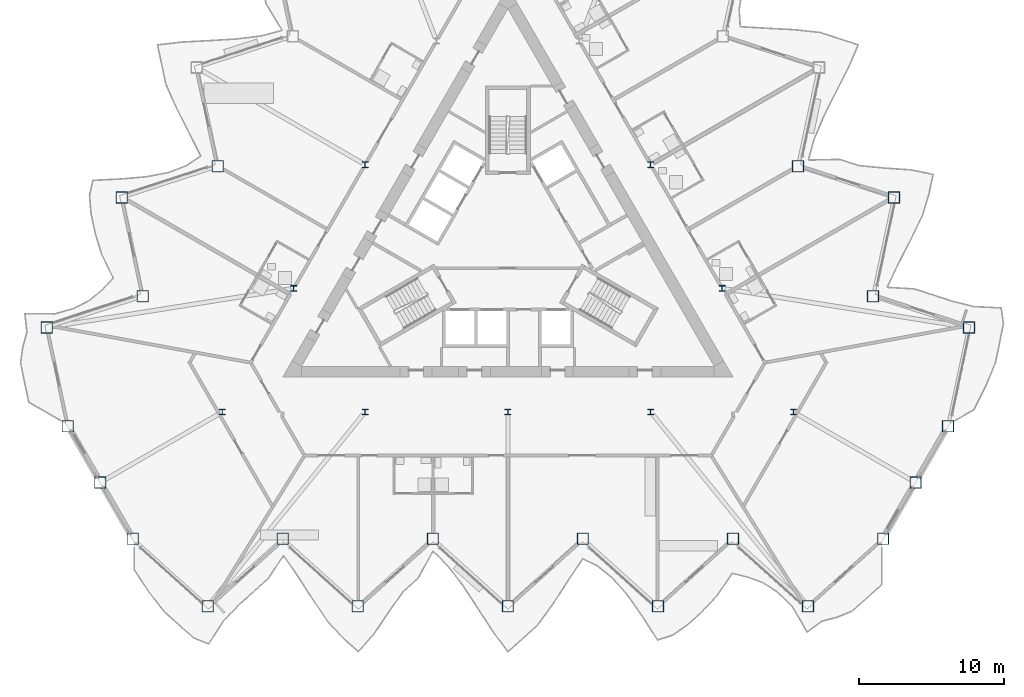
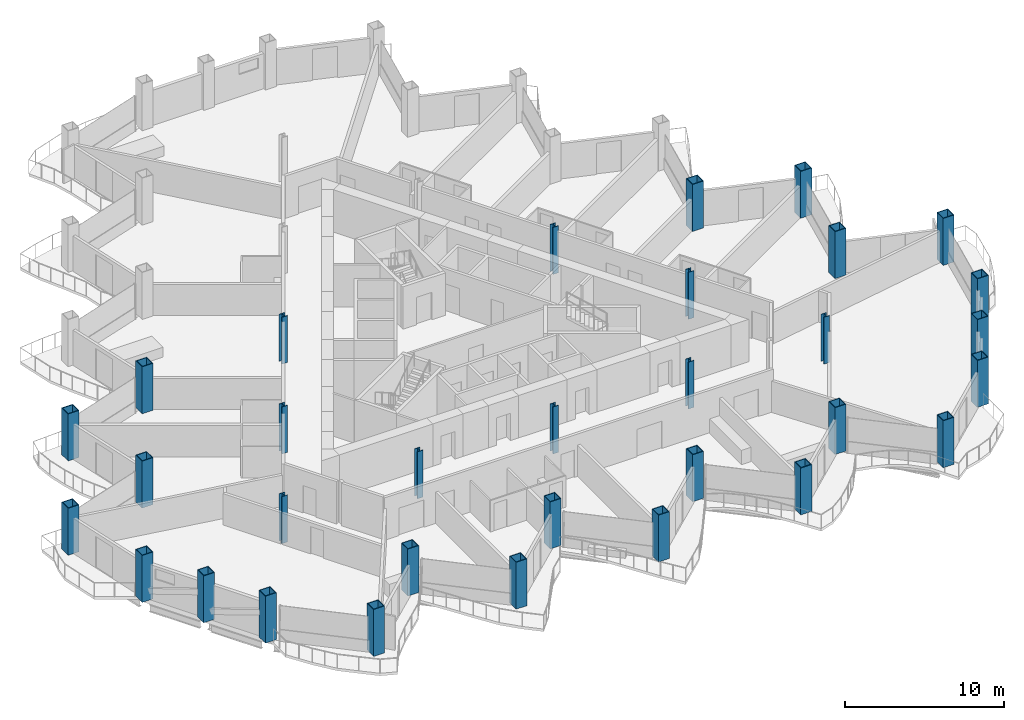
# One storey, part 1 of 24: 32 columns.
"""IFC4 building model written with IfcOpenShell, lengths in metres."""

from ifc_helpers import new_model, si_unit, direction, frame, origin, origin_2d, place, context, subcontext, project, spatial, hollow_rectangle, i_section, extrude, material, material_profile, profile_set, type_object, element, save


model = new_model("IFC4")

# Units and contexts
model_context = context("Model", 3, precision=1e-05, world=origin(), true_north=direction((0.0, 1.0)))
body_context = subcontext(model_context, "Body", "Model", "MODEL_VIEW")
ifc_project = project(units=[si_unit("LENGTHUNIT", "METRE"), si_unit("AREAUNIT", "SQUARE_METRE"), si_unit("VOLUMEUNIT", "CUBIC_METRE"), si_unit("PLANEANGLEUNIT", "RADIAN"), si_unit("MASSUNIT", "GRAM", prefix="KILO")], contexts=[model_context])

# Site, building, storey
site_placement = place(None, origin())
site = spatial("IfcSite", under=ifc_project, at=site_placement, CompositionType="ELEMENT")
building_placement = place(site_placement, origin())
building = spatial("IfcBuilding", under=site, at=building_placement, Name="Cormorant Prow Tower", CompositionType="ELEMENT")
storey_placement = place(building_placement, frame((0.0, 0.0, 201.60009765625)))
storey = spatial("IfcBuildingStorey", under=building, at=storey_placement, Name="L44", CompositionType="ELEMENT", Elevation=201.60009765625)

# Columns
ifc_material_1 = material(Name="Structural steel ASTM A572 Gr 50", Category="steel")
ifc_material_profile_1 = material_profile(ifc_material_1, hollow_rectangle(XDim=0.800048828125, YDim=0.800048828125, WallThickness=0.050048828125, at=origin_2d()), Name="Box 800x800x50")
ifc_profile_set_1 = profile_set([ifc_material_profile_1], Name="Structural steel ASTM A572 Gr 50")
column_type_1 = type_object("IfcColumnType", Name="Perimeter box column 800x800x50", PredefinedType="COLUMN", material=ifc_profile_set_1)
for number, where, z_axis, x_axis, name in (
    (1, (-25.823486328125, -20.0712890625, 0.0), (0.0, 0.0, 1.0), (1.0, 0.0, 0.0), "Perimeter column C4 at S00 L44"),
    (2, (-20.658935546875, -24.7216796875, 0.0), (0.0, 0.0, 1.0), (1.0, 0.0, 0.0), "Perimeter column C4 at S01 L44"),
    (3, (-15.494140625, -20.0712890625, 0.0), (0.0, 0.0, 1.0), (1.0, 0.0, 0.0), "Perimeter column C4 at S02 L44"),
    (4, (-10.329345703125, -24.7216796875, 0.0), (0.0, 0.0, 1.0), (1.0, 0.0, 0.0), "Perimeter column C4 at S03 L44"),
    (5, (-5.164794921875, -20.0712890625, 0.0), (0.0, 0.0, 1.0), (1.0, 0.0, 0.0), "Perimeter column C4 at S04 L44"),
    (6, (0.0, -24.7216796875, 0.0), (0.0, 0.0, 1.0), (1.0, 0.0, 0.0), "Perimeter column C4 at S05 L44"),
    (7, (5.164794921875, -20.0712890625, 0.0), (0.0, 0.0, 1.0), (1.0, 0.0, 0.0), "Perimeter column C4 at S06 L44"),
    (8, (10.329345703125, -24.7216796875, 0.0), (0.0, 0.0, 1.0), (1.0, 0.0, 0.0), "Perimeter column C4 at S07 L44"),
    (9, (15.494140625, -20.0712890625, 0.0), (0.0, 0.0, 1.0), (1.0, 0.0, 0.0), "Perimeter column C4 at S08 L44"),
    (10, (20.658935546875, -24.7216796875, 0.0), (0.0, 0.0, 1.0), (1.0, 0.0, 0.0), "Perimeter column C4 at S09 L44"),
    (11, (25.823486328125, -20.0712890625, 0.0), (0.0, 0.0, 1.0), (1.0, 0.0, 0.0), "Perimeter column C4 at ESE00 L44"),
    (12, (28.058837890625, -16.19970703125, 0.0), (0.0, 0.0, 1.0), (1.0, 0.0, 0.0), "Perimeter column C4 at ESE01 L44"),
    (13, (30.2939453125, -12.328369140625, 0.0), (0.0, 0.0, 1.0), (1.0, 0.0, 0.0), "Perimeter column C4 at ENE00 L44"),
    (14, (31.739013671875, -5.5302734375, 0.0), (0.0, 0.0, 1.0), (1.0, 0.0, 0.0), "Perimeter column C4 at ENE01 L44"),
    (15, (25.12939453125, -3.3828125, 0.0), (0.0, 0.0, 1.0), (1.0, 0.0, 0.0), "Perimeter column C4 at ENE02 L44"),
    (16, (26.57421875, 3.415283203125, 0.0), (0.0, 0.0, 1.0), (1.0, 0.0, 0.0), "Perimeter column C4 at ENE03 L44"),
    (17, (19.964599609375, 5.562744140625, 0.0), (0.0, 0.0, 1.0), (1.0, 0.0, 0.0), "Perimeter column C4 at ENE04 L44"),
    (18, (-19.964599609375, 5.562744140625, 0.0), (0.0, 0.0, 1.0), (1.0, 0.0, 0.0), "Perimeter column C4 at WNW06 L44"),
    (19, (-26.57421875, 3.415283203125, 0.0), (0.0, 0.0, 1.0), (1.0, 0.0, 0.0), "Perimeter column C4 at WNW07 L44"),
    (20, (-25.12939453125, -3.3828125, 0.0), (0.0, 0.0, 1.0), (1.0, 0.0, 0.0), "Perimeter column C4 at WNW08 L44"),
    (21, (-31.739013671875, -5.5302734375, 0.0), (0.0, 0.0, 1.0), (1.0, 0.0, 0.0), "Perimeter column C4 at WNW09 L44"),
    (22, (-30.2939453125, -12.328369140625, 0.0), (0.0, 0.0, 1.0), (1.0, 0.0, 0.0), "Perimeter column C4 at WSW00 L44"),
    (23, (-28.058837890625, -16.19970703125, 0.0), (0.0, 0.0, 1.0), (1.0, 0.0, 0.0), "Perimeter column C4 at WSW01 L44"),
):
    element("IfcColumn", number, at=place(storey_placement, frame(where, z_axis=z_axis, x_axis=x_axis)), inside=storey, type_object=column_type_1, Name=name, PredefinedType="COLUMN", context=body_context, shape_type="SweptSolid", body=[
        extrude(hollow_rectangle(XDim=0.800048828125, YDim=0.800048828125, WallThickness=0.050048828125, at=origin_2d()), origin(), (0.0, 0.0, 1.0), 3.599853515625),
    ])
ifc_material_2 = material(Name="Structural steel ASTM A992 Gr 50", Category="steel")
ifc_material_profile_2 = material_profile(ifc_material_2, i_section(OverallWidth=0.403564453125, OverallDepth=0.407470703125, WebThickness=0.027099609375, FlangeThickness=0.043701171875, at=origin_2d()), Name="W14x233")
ifc_profile_set_2 = profile_set([ifc_material_profile_2], Name="Structural steel ASTM A992 Gr 50")
column_type_2 = type_object("IfcColumnType", Name="Ring column W14x233", PredefinedType="COLUMN", material=ifc_profile_set_2)
for number, where, z_axis, x_axis, name in (
    (24, (-9.828369140625, 5.674560546875, 0.0), (0.0, 0.0, 1.0), (1.0, 0.0, 0.0), "Ring column 3 L44"),
    (25, (-14.74267578125, -2.837158203125, 0.0), (0.0, 0.0, 1.0), (1.0, 0.0, 0.0), "Ring column 4 L44"),
    (26, (-19.656982421875, -11.348876953125, 0.0), (0.0, 0.0, 1.0), (1.0, 0.0, 0.0), "Ring column 5 L44"),
    (27, (-9.828369140625, -11.348876953125, 0.0), (0.0, 0.0, 1.0), (1.0, 0.0, 0.0), "Ring column 6 L44"),
    (28, (0.0, -11.348876953125, 0.0), (0.0, 0.0, 1.0), (1.0, 0.0, 0.0), "Ring column 7 L44"),
    (29, (9.828369140625, -11.348876953125, 0.0), (0.0, 0.0, 1.0), (1.0, 0.0, 0.0), "Ring column 8 L44"),
    (30, (19.656982421875, -11.348876953125, 0.0), (0.0, 0.0, 1.0), (1.0, 0.0, 0.0), "Ring column 9 L44"),
    (31, (14.74267578125, -2.837158203125, 0.0), (0.0, 0.0, 1.0), (1.0, 0.0, 0.0), "Ring column 10 L44"),
    (32, (9.828369140625, 5.674560546875, 0.0), (0.0, 0.0, 1.0), (1.0, 0.0, 0.0), "Ring column 11 L44"),
):
    element("IfcColumn", number, at=place(storey_placement, frame(where, z_axis=z_axis, x_axis=x_axis)), inside=storey, type_object=column_type_2, Name=name, PredefinedType="COLUMN", context=body_context, shape_type="SweptSolid", body=[
        extrude(i_section(OverallWidth=0.403564453125, OverallDepth=0.407470703125, WebThickness=0.027099609375, FlangeThickness=0.043701171875, at=origin_2d()), origin(), (0.0, 0.0, 1.0), 3.599853515625),
    ])

save(model, "model.ifc")
